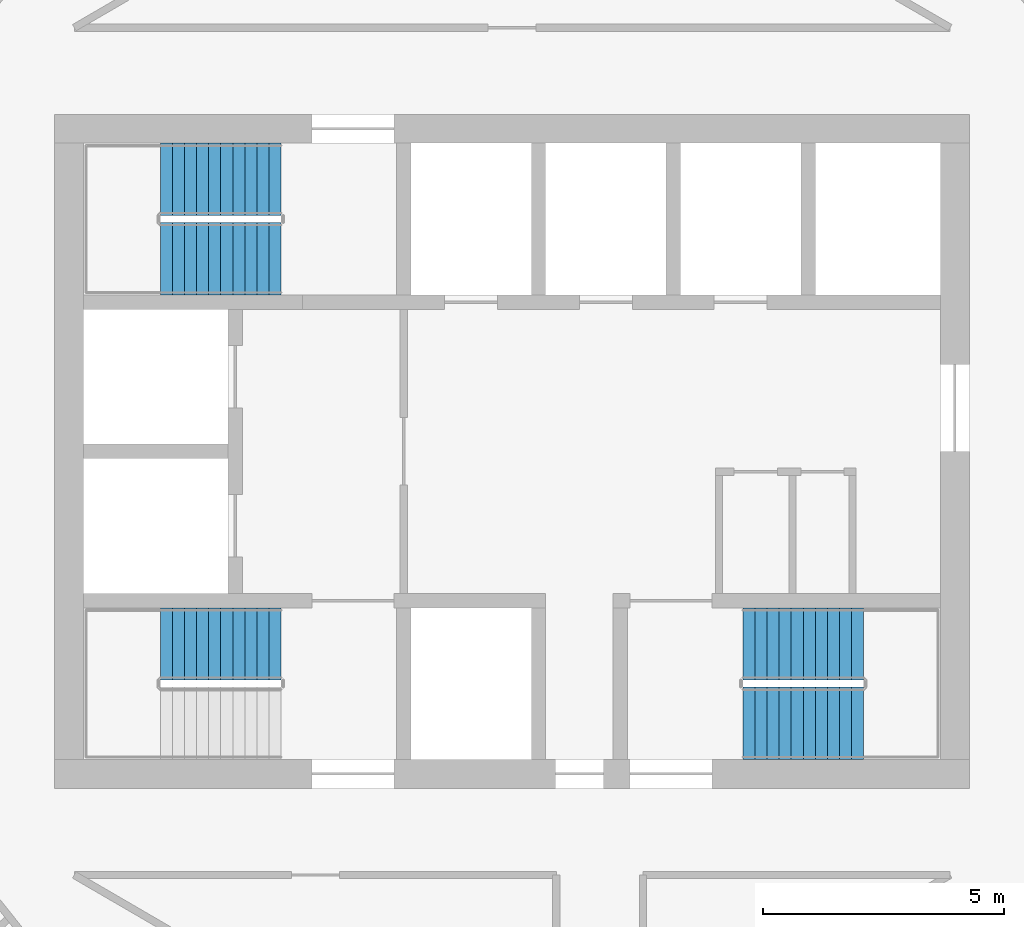
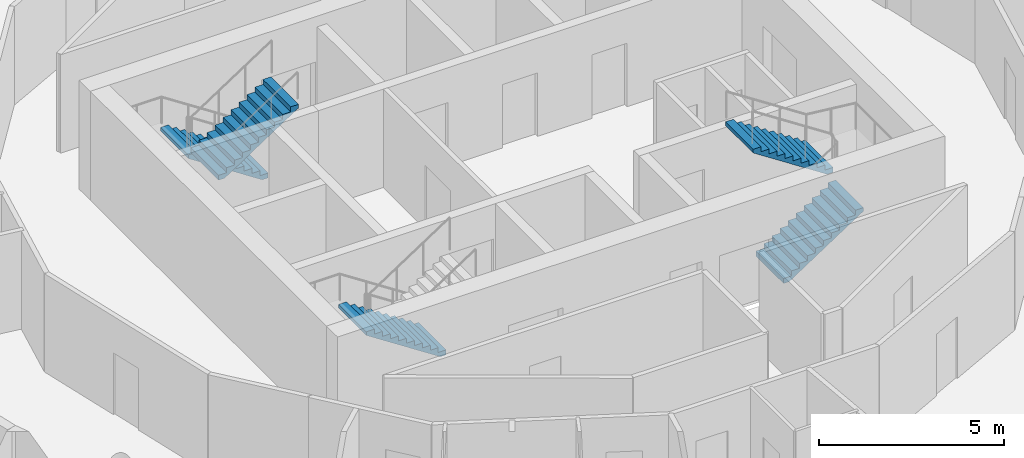
# One storey, part 12 of 13: 5 stair flights, 3 elements without a shape of their own.
"""IFC4 building model written with IfcOpenShell, lengths in metres."""

from ifc_helpers import new_model, si_unit, direction, frame, origin, place, context, subcontext, project, spatial, polyline, outline, extrude, material, type_object, element, aggregate, save


model = new_model("IFC4")

# Units and contexts
model_context = context("Model", 3, precision=1e-05, world=origin(), true_north=direction((0.0, 1.0)))
body_context = subcontext(model_context, "Body", "Model", "MODEL_VIEW")
ifc_project = project(units=[si_unit("LENGTHUNIT", "METRE"), si_unit("AREAUNIT", "SQUARE_METRE"), si_unit("VOLUMEUNIT", "CUBIC_METRE"), si_unit("PLANEANGLEUNIT", "RADIAN"), si_unit("MASSUNIT", "GRAM", prefix="KILO")], contexts=[model_context])

# Site, building, storey
site_placement = place(None, origin())
site = spatial("IfcSite", under=ifc_project, at=site_placement, CompositionType="ELEMENT")
building_placement = place(site_placement, origin())
building = spatial("IfcBuilding", under=site, at=building_placement, Name="Tracery Tower", CompositionType="ELEMENT")
storey_placement = place(building_placement, frame((0.0, 0.0, 294.60009765625)))
storey = spatial("IfcBuildingStorey", under=building, at=storey_placement, Name="L76", CompositionType="ELEMENT", Elevation=294.60009765625)

# Stair, stair flight
ifc_material_1 = material(Name="Concrete C32/40", Category="concrete")
stair_type = type_object("IfcStairType", Name="Core stair 22 risers", PredefinedType="HALF_TURN_STAIR", material=ifc_material_1)
stair_1_placement = place(storey_placement, origin())
stair_1 = element("IfcStair", 1, at=stair_1_placement, inside=storey, type_object=stair_type, Name="L76 stair ST1", PredefinedType="HALF_TURN_STAIR")
ifc_material_2 = material(Name="Concrete C32/40", Category="concrete")
stair_flight_type = type_object("IfcStairFlightType", Name="Core stair flight 11 risers", PredefinedType="STRAIGHT", material=ifc_material_2)
stair_flight_1_placement = place(storey_placement, frame((-4.800048828125, -4.0, 0.0), z_axis=(0.0, 0.0, 1.0), x_axis=(-1.0, 0.0, 0.0)))
stair_flight_1 = element("IfcStairFlight", 2, at=stair_flight_1_placement, type_object=stair_flight_type, Name="ST1 flight 1", NumberOfRisers=11, NumberOfTreads=10, PredefinedType="STRAIGHT", RiserHeight=0.163636364, TreadLength=0.25, context=body_context, shape_type="SweptSolid", body=[
    extrude(outline(polyline([(0.0, 0.0), (0.0, 0.002685546875), (0.0, 0.00537109375), (0.0, 0.008056640625), (0.0, 0.0107421875), (0.0, 0.013427734375), (0.0, 0.01611328125), (0.0, 0.018798828125), (0.0, 0.021484375), (0.0, 0.024169921875), (0.0, 0.02685546875), (0.0, 0.029541015625), (0.0, 0.0322265625), (0.0, 0.034912109375), (0.0, 0.03759765625), (0.0, 0.040283203125), (0.0, 0.04296875), (0.0, 0.045654296875), (0.0, 0.04833984375), (0.0, 0.051025390625), (0.0, 0.0537109375), (0.0, 0.056396484375), (0.0, 0.05908203125), (0.0, 0.061767578125), (0.0, 0.064453125), (0.0, 0.067138671875), (0.0, 0.06982421875), (0.0, 0.072509765625), (0.0, 0.0751953125), (0.0, 0.077880859375), (0.0, 0.08056640625), (0.0, 0.083251953125), (0.0, 0.0859375), (0.0, 0.088623046875), (0.0, 0.09130859375), (0.0, 0.093994140625), (0.0, 0.0966796875), (0.0, 0.099365234375), (0.0, 0.10205078125), (0.0, 0.104736328125), (0.0, 0.107421875), (0.0, 0.10986328125), (0.0, 0.112548828125), (0.0, 0.115234375), (0.0, 0.117919921875), (0.0, 0.12060546875), (0.0, 0.123291015625), (0.0, 0.1259765625), (0.0, 0.128662109375), (0.0, 0.13134765625), (0.0, 0.134033203125), (0.0, 0.13671875), (0.0, 0.139404296875), (0.0, 0.14208984375), (0.0, 0.144775390625), (0.0, 0.1474609375), (0.0, 0.150146484375), (0.0, 0.15283203125), (0.0, 0.155517578125), (0.0, 0.158203125), (0.0, 0.160888671875), (0.0, 0.16357421875), (0.25, 0.16357421875), (0.25, 0.327392578125), (0.5, 0.327392578125), (0.5, 0.490966796875), (0.75, 0.490966796875), (0.75, 0.654541015625), (1.0, 0.654541015625), (1.0, 0.818115234375), (1.25, 0.818115234375), (1.25, 0.98193359375), (1.5, 0.98193359375), (1.5, 1.1455078125), (1.75, 1.1455078125), (1.75, 1.30908203125), (2.0, 1.30908203125), (2.0, 1.47265625), (2.25, 1.47265625), (2.25, 1.636474609375), (2.5, 1.636474609375), (2.5, 1.634521484375), (2.5, 1.63232421875), (2.5, 1.63037109375), (2.5, 1.62841796875), (2.5, 1.62646484375), (2.5, 1.62451171875), (2.5, 1.62255859375), (2.5, 1.62060546875), (2.5, 1.61865234375), (2.5, 1.61669921875), (2.5, 1.61474609375), (2.5, 1.61279296875), (2.5, 1.61083984375), (2.5, 1.60888671875), (2.5, 1.60693359375), (2.5, 1.60498046875), (2.5, 1.60302734375), (2.5, 1.60107421875), (2.5, 1.59912109375), (2.5, 1.59716796875), (2.5, 1.59521484375), (2.5, 1.59326171875), (2.5, 1.59130859375), (2.5, 1.58935546875), (2.5, 1.58740234375), (2.5, 1.58544921875), (2.5, 1.58349609375), (2.5, 1.58154296875), (2.5, 1.57958984375), (2.5, 1.57763671875), (2.5, 1.57568359375), (2.5, 1.573486328125), (2.5, 1.571533203125), (2.5, 1.569580078125), (2.5, 1.567626953125), (2.5, 1.565673828125), (2.5, 1.563720703125), (2.5, 1.561767578125), (2.5, 1.559814453125), (2.5, 1.557861328125), (2.5, 1.555908203125), (2.5, 1.553955078125), (2.5, 1.552001953125), (2.5, 1.550048828125), (2.5, 1.548095703125), (2.5, 1.546142578125), (2.5, 1.544189453125), (2.5, 1.542236328125), (2.5, 1.540283203125), (2.5, 1.538330078125), (2.5, 1.536376953125), (2.5, 1.534423828125), (2.5, 1.532470703125), (2.5, 1.530517578125), (2.5, 1.528564453125), (2.5, 1.526611328125), (2.5, 1.524658203125), (2.5, 1.522705078125), (2.5, 1.520751953125), (2.5, 1.518798828125), (2.5, 1.516845703125), (0.182861328125, 0.0), (0.0, 0.0)])), frame((0.0, 0.75, 0.0), z_axis=(0.0, -1.0, 0.0), x_axis=(1.0, 0.0, 0.0)), (0.0, 0.0, 1.0), 1.5),
])
aggregate(stair_1, [stair_flight_1])

# Stair, stair flights
stair_2_placement = place(storey_placement, origin())
stair_2 = element("IfcStair", 3, at=stair_2_placement, inside=storey, type_object=stair_type, Name="L76 stair ST3", PredefinedType="HALF_TURN_STAIR")
stair_flight_2_placement = place(storey_placement, frame((-4.800048828125, 5.64990234375, 0.0), z_axis=(0.0, 0.0, 1.0), x_axis=(-1.0, 0.0, 0.0)))
stair_flight_2 = element("IfcStairFlight", 4, at=stair_flight_2_placement, type_object=stair_flight_type, Name="ST3 flight 1", NumberOfRisers=11, NumberOfTreads=10, PredefinedType="STRAIGHT", RiserHeight=0.163636364, TreadLength=0.25, context=body_context, shape_type="SweptSolid", body=[
    extrude(outline(polyline([(0.0, 0.0), (0.0, 0.002685546875), (0.0, 0.00537109375), (0.0, 0.008056640625), (0.0, 0.0107421875), (0.0, 0.013427734375), (0.0, 0.01611328125), (0.0, 0.018798828125), (0.0, 0.021484375), (0.0, 0.024169921875), (0.0, 0.02685546875), (0.0, 0.029541015625), (0.0, 0.0322265625), (0.0, 0.034912109375), (0.0, 0.03759765625), (0.0, 0.040283203125), (0.0, 0.04296875), (0.0, 0.045654296875), (0.0, 0.04833984375), (0.0, 0.051025390625), (0.0, 0.0537109375), (0.0, 0.056396484375), (0.0, 0.05908203125), (0.0, 0.061767578125), (0.0, 0.064453125), (0.0, 0.067138671875), (0.0, 0.06982421875), (0.0, 0.072509765625), (0.0, 0.0751953125), (0.0, 0.077880859375), (0.0, 0.08056640625), (0.0, 0.083251953125), (0.0, 0.0859375), (0.0, 0.088623046875), (0.0, 0.09130859375), (0.0, 0.093994140625), (0.0, 0.0966796875), (0.0, 0.099365234375), (0.0, 0.10205078125), (0.0, 0.104736328125), (0.0, 0.107421875), (0.0, 0.10986328125), (0.0, 0.112548828125), (0.0, 0.115234375), (0.0, 0.117919921875), (0.0, 0.12060546875), (0.0, 0.123291015625), (0.0, 0.1259765625), (0.0, 0.128662109375), (0.0, 0.13134765625), (0.0, 0.134033203125), (0.0, 0.13671875), (0.0, 0.139404296875), (0.0, 0.14208984375), (0.0, 0.144775390625), (0.0, 0.1474609375), (0.0, 0.150146484375), (0.0, 0.15283203125), (0.0, 0.155517578125), (0.0, 0.158203125), (0.0, 0.160888671875), (0.0, 0.16357421875), (0.25, 0.16357421875), (0.25, 0.327392578125), (0.5, 0.327392578125), (0.5, 0.490966796875), (0.75, 0.490966796875), (0.75, 0.654541015625), (1.0, 0.654541015625), (1.0, 0.818115234375), (1.25, 0.818115234375), (1.25, 0.98193359375), (1.5, 0.98193359375), (1.5, 1.1455078125), (1.75, 1.1455078125), (1.75, 1.30908203125), (2.0, 1.30908203125), (2.0, 1.47265625), (2.25, 1.47265625), (2.25, 1.636474609375), (2.5, 1.636474609375), (2.5, 1.634521484375), (2.5, 1.63232421875), (2.5, 1.63037109375), (2.5, 1.62841796875), (2.5, 1.62646484375), (2.5, 1.62451171875), (2.5, 1.62255859375), (2.5, 1.62060546875), (2.5, 1.61865234375), (2.5, 1.61669921875), (2.5, 1.61474609375), (2.5, 1.61279296875), (2.5, 1.61083984375), (2.5, 1.60888671875), (2.5, 1.60693359375), (2.5, 1.60498046875), (2.5, 1.60302734375), (2.5, 1.60107421875), (2.5, 1.59912109375), (2.5, 1.59716796875), (2.5, 1.59521484375), (2.5, 1.59326171875), (2.5, 1.59130859375), (2.5, 1.58935546875), (2.5, 1.58740234375), (2.5, 1.58544921875), (2.5, 1.58349609375), (2.5, 1.58154296875), (2.5, 1.57958984375), (2.5, 1.57763671875), (2.5, 1.57568359375), (2.5, 1.573486328125), (2.5, 1.571533203125), (2.5, 1.569580078125), (2.5, 1.567626953125), (2.5, 1.565673828125), (2.5, 1.563720703125), (2.5, 1.561767578125), (2.5, 1.559814453125), (2.5, 1.557861328125), (2.5, 1.555908203125), (2.5, 1.553955078125), (2.5, 1.552001953125), (2.5, 1.550048828125), (2.5, 1.548095703125), (2.5, 1.546142578125), (2.5, 1.544189453125), (2.5, 1.542236328125), (2.5, 1.540283203125), (2.5, 1.538330078125), (2.5, 1.536376953125), (2.5, 1.534423828125), (2.5, 1.532470703125), (2.5, 1.530517578125), (2.5, 1.528564453125), (2.5, 1.526611328125), (2.5, 1.524658203125), (2.5, 1.522705078125), (2.5, 1.520751953125), (2.5, 1.518798828125), (2.5, 1.516845703125), (0.182861328125, 0.0), (0.0, 0.0)])), frame((0.0, 0.75, 0.0), z_axis=(0.0, -1.0, 0.0), x_axis=(1.0, 0.0, 0.0)), (0.0, 0.0, 1.0), 1.5),
])
stair_flight_3_placement = place(storey_placement, frame((-7.300048828125, 4.0, 1.7998046875), z_axis=(0.0, 0.0, 1.0), x_axis=(1.0, 0.0, 0.0)))
stair_flight_3 = element("IfcStairFlight", 5, at=stair_flight_3_placement, type_object=stair_flight_type, Name="ST3 flight 2", NumberOfRisers=11, NumberOfTreads=10, PredefinedType="STRAIGHT", RiserHeight=0.163636364, TreadLength=0.25, context=body_context, shape_type="SweptSolid", body=[
    extrude(outline(polyline([(0.0, 0.0), (0.0, 0.002685546875), (0.0, 0.00537109375), (0.0, 0.008056640625), (0.0, 0.0107421875), (0.0, 0.013427734375), (0.0, 0.01611328125), (0.0, 0.018798828125), (0.0, 0.021484375), (0.0, 0.024169921875), (0.0, 0.02685546875), (0.0, 0.029541015625), (0.0, 0.0322265625), (0.0, 0.034912109375), (0.0, 0.03759765625), (0.0, 0.040283203125), (0.0, 0.04296875), (0.0, 0.045654296875), (0.0, 0.04833984375), (0.0, 0.051025390625), (0.0, 0.0537109375), (0.0, 0.056396484375), (0.0, 0.05908203125), (0.0, 0.061767578125), (0.0, 0.064453125), (0.0, 0.067138671875), (0.0, 0.06982421875), (0.0, 0.072509765625), (0.0, 0.0751953125), (0.0, 0.077880859375), (0.0, 0.08056640625), (0.0, 0.083251953125), (0.0, 0.0859375), (0.0, 0.088623046875), (0.0, 0.09130859375), (0.0, 0.093994140625), (0.0, 0.0966796875), (0.0, 0.099365234375), (0.0, 0.10205078125), (0.0, 0.104736328125), (0.0, 0.107421875), (0.0, 0.10986328125), (0.0, 0.112548828125), (0.0, 0.115234375), (0.0, 0.117919921875), (0.0, 0.12060546875), (0.0, 0.123291015625), (0.0, 0.1259765625), (0.0, 0.128662109375), (0.0, 0.13134765625), (0.0, 0.134033203125), (0.0, 0.13671875), (0.0, 0.139404296875), (0.0, 0.14208984375), (0.0, 0.144775390625), (0.0, 0.1474609375), (0.0, 0.150146484375), (0.0, 0.15283203125), (0.0, 0.155517578125), (0.0, 0.158203125), (0.0, 0.160888671875), (0.0, 0.16357421875), (0.25, 0.16357421875), (0.25, 0.327392578125), (0.5, 0.327392578125), (0.5, 0.490966796875), (0.75, 0.490966796875), (0.75, 0.654541015625), (1.0, 0.654541015625), (1.0, 0.818115234375), (1.25, 0.818115234375), (1.25, 0.98193359375), (1.5, 0.98193359375), (1.5, 1.1455078125), (1.75, 1.1455078125), (1.75, 1.30908203125), (2.0, 1.30908203125), (2.0, 1.47265625), (2.25, 1.47265625), (2.25, 1.636474609375), (2.5, 1.636474609375), (2.5, 1.634521484375), (2.5, 1.63232421875), (2.5, 1.63037109375), (2.5, 1.62841796875), (2.5, 1.62646484375), (2.5, 1.62451171875), (2.5, 1.62255859375), (2.5, 1.62060546875), (2.5, 1.61865234375), (2.5, 1.61669921875), (2.5, 1.61474609375), (2.5, 1.61279296875), (2.5, 1.61083984375), (2.5, 1.60888671875), (2.5, 1.60693359375), (2.5, 1.60498046875), (2.5, 1.60302734375), (2.5, 1.60107421875), (2.5, 1.59912109375), (2.5, 1.59716796875), (2.5, 1.59521484375), (2.5, 1.59326171875), (2.5, 1.59130859375), (2.5, 1.58935546875), (2.5, 1.58740234375), (2.5, 1.58544921875), (2.5, 1.58349609375), (2.5, 1.58154296875), (2.5, 1.57958984375), (2.5, 1.57763671875), (2.5, 1.57568359375), (2.5, 1.573486328125), (2.5, 1.571533203125), (2.5, 1.569580078125), (2.5, 1.567626953125), (2.5, 1.565673828125), (2.5, 1.563720703125), (2.5, 1.561767578125), (2.5, 1.559814453125), (2.5, 1.557861328125), (2.5, 1.555908203125), (2.5, 1.553955078125), (2.5, 1.552001953125), (2.5, 1.550048828125), (2.5, 1.548095703125), (2.5, 1.546142578125), (2.5, 1.544189453125), (2.5, 1.542236328125), (2.5, 1.540283203125), (2.5, 1.538330078125), (2.5, 1.536376953125), (2.5, 1.534423828125), (2.5, 1.532470703125), (2.5, 1.530517578125), (2.5, 1.528564453125), (2.5, 1.526611328125), (2.5, 1.524658203125), (2.5, 1.522705078125), (2.5, 1.520751953125), (2.5, 1.518798828125), (2.5, 1.516845703125), (0.182861328125, 0.0), (0.0, 0.0)])), frame((0.0, 0.75, 0.0), z_axis=(0.0, -1.0, 0.0), x_axis=(1.0, 0.0, 0.0)), (0.0, 0.0, 1.0), 1.5),
])
aggregate(stair_2, [stair_flight_2, stair_flight_3])

stair_3_placement = place(storey_placement, origin())
stair_3 = element("IfcStair", 6, at=stair_3_placement, inside=storey, type_object=stair_type, Name="L76 stair ST2", PredefinedType="HALF_TURN_STAIR")
stair_flight_4_placement = place(storey_placement, frame((4.800048828125, -5.64990234375, 0.0), z_axis=(0.0, 0.0, 1.0), x_axis=(1.0, 0.0, 0.0)))
stair_flight_4 = element("IfcStairFlight", 7, at=stair_flight_4_placement, type_object=stair_flight_type, Name="ST2 flight 1", NumberOfRisers=11, NumberOfTreads=10, PredefinedType="STRAIGHT", RiserHeight=0.163636364, TreadLength=0.25, context=body_context, shape_type="SweptSolid", body=[
    extrude(outline(polyline([(0.0, 0.0), (0.0, 0.002685546875), (0.0, 0.00537109375), (0.0, 0.008056640625), (0.0, 0.0107421875), (0.0, 0.013427734375), (0.0, 0.01611328125), (0.0, 0.018798828125), (0.0, 0.021484375), (0.0, 0.024169921875), (0.0, 0.02685546875), (0.0, 0.029541015625), (0.0, 0.0322265625), (0.0, 0.034912109375), (0.0, 0.03759765625), (0.0, 0.040283203125), (0.0, 0.04296875), (0.0, 0.045654296875), (0.0, 0.04833984375), (0.0, 0.051025390625), (0.0, 0.0537109375), (0.0, 0.056396484375), (0.0, 0.05908203125), (0.0, 0.061767578125), (0.0, 0.064453125), (0.0, 0.067138671875), (0.0, 0.06982421875), (0.0, 0.072509765625), (0.0, 0.0751953125), (0.0, 0.077880859375), (0.0, 0.08056640625), (0.0, 0.083251953125), (0.0, 0.0859375), (0.0, 0.088623046875), (0.0, 0.09130859375), (0.0, 0.093994140625), (0.0, 0.0966796875), (0.0, 0.099365234375), (0.0, 0.10205078125), (0.0, 0.104736328125), (0.0, 0.107421875), (0.0, 0.10986328125), (0.0, 0.112548828125), (0.0, 0.115234375), (0.0, 0.117919921875), (0.0, 0.12060546875), (0.0, 0.123291015625), (0.0, 0.1259765625), (0.0, 0.128662109375), (0.0, 0.13134765625), (0.0, 0.134033203125), (0.0, 0.13671875), (0.0, 0.139404296875), (0.0, 0.14208984375), (0.0, 0.144775390625), (0.0, 0.1474609375), (0.0, 0.150146484375), (0.0, 0.15283203125), (0.0, 0.155517578125), (0.0, 0.158203125), (0.0, 0.160888671875), (0.0, 0.16357421875), (0.25, 0.16357421875), (0.25, 0.327392578125), (0.5, 0.327392578125), (0.5, 0.490966796875), (0.75, 0.490966796875), (0.75, 0.654541015625), (1.0, 0.654541015625), (1.0, 0.818115234375), (1.25, 0.818115234375), (1.25, 0.98193359375), (1.5, 0.98193359375), (1.5, 1.1455078125), (1.75, 1.1455078125), (1.75, 1.30908203125), (2.0, 1.30908203125), (2.0, 1.47265625), (2.25, 1.47265625), (2.25, 1.636474609375), (2.5, 1.636474609375), (2.5, 1.634521484375), (2.5, 1.63232421875), (2.5, 1.63037109375), (2.5, 1.62841796875), (2.5, 1.62646484375), (2.5, 1.62451171875), (2.5, 1.62255859375), (2.5, 1.62060546875), (2.5, 1.61865234375), (2.5, 1.61669921875), (2.5, 1.61474609375), (2.5, 1.61279296875), (2.5, 1.61083984375), (2.5, 1.60888671875), (2.5, 1.60693359375), (2.5, 1.60498046875), (2.5, 1.60302734375), (2.5, 1.60107421875), (2.5, 1.59912109375), (2.5, 1.59716796875), (2.5, 1.59521484375), (2.5, 1.59326171875), (2.5, 1.59130859375), (2.5, 1.58935546875), (2.5, 1.58740234375), (2.5, 1.58544921875), (2.5, 1.58349609375), (2.5, 1.58154296875), (2.5, 1.57958984375), (2.5, 1.57763671875), (2.5, 1.57568359375), (2.5, 1.573486328125), (2.5, 1.571533203125), (2.5, 1.569580078125), (2.5, 1.567626953125), (2.5, 1.565673828125), (2.5, 1.563720703125), (2.5, 1.561767578125), (2.5, 1.559814453125), (2.5, 1.557861328125), (2.5, 1.555908203125), (2.5, 1.553955078125), (2.5, 1.552001953125), (2.5, 1.550048828125), (2.5, 1.548095703125), (2.5, 1.546142578125), (2.5, 1.544189453125), (2.5, 1.542236328125), (2.5, 1.540283203125), (2.5, 1.538330078125), (2.5, 1.536376953125), (2.5, 1.534423828125), (2.5, 1.532470703125), (2.5, 1.530517578125), (2.5, 1.528564453125), (2.5, 1.526611328125), (2.5, 1.524658203125), (2.5, 1.522705078125), (2.5, 1.520751953125), (2.5, 1.518798828125), (2.5, 1.516845703125), (0.182861328125, 0.0), (0.0, 0.0)])), frame((0.0, 0.75, 0.0), z_axis=(0.0, -1.0, 0.0), x_axis=(1.0, 0.0, 0.0)), (0.0, 0.0, 1.0), 1.5),
])
stair_flight_5_placement = place(storey_placement, frame((7.300048828125, -4.0, 1.7998046875), z_axis=(0.0, 0.0, 1.0), x_axis=(-1.0, 0.0, 0.0)))
stair_flight_5 = element("IfcStairFlight", 8, at=stair_flight_5_placement, type_object=stair_flight_type, Name="ST2 flight 2", NumberOfRisers=11, NumberOfTreads=10, PredefinedType="STRAIGHT", RiserHeight=0.163636364, TreadLength=0.25, context=body_context, shape_type="SweptSolid", body=[
    extrude(outline(polyline([(0.0, 0.0), (0.0, 0.002685546875), (0.0, 0.00537109375), (0.0, 0.008056640625), (0.0, 0.0107421875), (0.0, 0.013427734375), (0.0, 0.01611328125), (0.0, 0.018798828125), (0.0, 0.021484375), (0.0, 0.024169921875), (0.0, 0.02685546875), (0.0, 0.029541015625), (0.0, 0.0322265625), (0.0, 0.034912109375), (0.0, 0.03759765625), (0.0, 0.040283203125), (0.0, 0.04296875), (0.0, 0.045654296875), (0.0, 0.04833984375), (0.0, 0.051025390625), (0.0, 0.0537109375), (0.0, 0.056396484375), (0.0, 0.05908203125), (0.0, 0.061767578125), (0.0, 0.064453125), (0.0, 0.067138671875), (0.0, 0.06982421875), (0.0, 0.072509765625), (0.0, 0.0751953125), (0.0, 0.077880859375), (0.0, 0.08056640625), (0.0, 0.083251953125), (0.0, 0.0859375), (0.0, 0.088623046875), (0.0, 0.09130859375), (0.0, 0.093994140625), (0.0, 0.0966796875), (0.0, 0.099365234375), (0.0, 0.10205078125), (0.0, 0.104736328125), (0.0, 0.107421875), (0.0, 0.10986328125), (0.0, 0.112548828125), (0.0, 0.115234375), (0.0, 0.117919921875), (0.0, 0.12060546875), (0.0, 0.123291015625), (0.0, 0.1259765625), (0.0, 0.128662109375), (0.0, 0.13134765625), (0.0, 0.134033203125), (0.0, 0.13671875), (0.0, 0.139404296875), (0.0, 0.14208984375), (0.0, 0.144775390625), (0.0, 0.1474609375), (0.0, 0.150146484375), (0.0, 0.15283203125), (0.0, 0.155517578125), (0.0, 0.158203125), (0.0, 0.160888671875), (0.0, 0.16357421875), (0.25, 0.16357421875), (0.25, 0.327392578125), (0.5, 0.327392578125), (0.5, 0.490966796875), (0.75, 0.490966796875), (0.75, 0.654541015625), (1.0, 0.654541015625), (1.0, 0.818115234375), (1.25, 0.818115234375), (1.25, 0.98193359375), (1.5, 0.98193359375), (1.5, 1.1455078125), (1.75, 1.1455078125), (1.75, 1.30908203125), (2.0, 1.30908203125), (2.0, 1.47265625), (2.25, 1.47265625), (2.25, 1.636474609375), (2.5, 1.636474609375), (2.5, 1.634521484375), (2.5, 1.63232421875), (2.5, 1.63037109375), (2.5, 1.62841796875), (2.5, 1.62646484375), (2.5, 1.62451171875), (2.5, 1.62255859375), (2.5, 1.62060546875), (2.5, 1.61865234375), (2.5, 1.61669921875), (2.5, 1.61474609375), (2.5, 1.61279296875), (2.5, 1.61083984375), (2.5, 1.60888671875), (2.5, 1.60693359375), (2.5, 1.60498046875), (2.5, 1.60302734375), (2.5, 1.60107421875), (2.5, 1.59912109375), (2.5, 1.59716796875), (2.5, 1.59521484375), (2.5, 1.59326171875), (2.5, 1.59130859375), (2.5, 1.58935546875), (2.5, 1.58740234375), (2.5, 1.58544921875), (2.5, 1.58349609375), (2.5, 1.58154296875), (2.5, 1.57958984375), (2.5, 1.57763671875), (2.5, 1.57568359375), (2.5, 1.573486328125), (2.5, 1.571533203125), (2.5, 1.569580078125), (2.5, 1.567626953125), (2.5, 1.565673828125), (2.5, 1.563720703125), (2.5, 1.561767578125), (2.5, 1.559814453125), (2.5, 1.557861328125), (2.5, 1.555908203125), (2.5, 1.553955078125), (2.5, 1.552001953125), (2.5, 1.550048828125), (2.5, 1.548095703125), (2.5, 1.546142578125), (2.5, 1.544189453125), (2.5, 1.542236328125), (2.5, 1.540283203125), (2.5, 1.538330078125), (2.5, 1.536376953125), (2.5, 1.534423828125), (2.5, 1.532470703125), (2.5, 1.530517578125), (2.5, 1.528564453125), (2.5, 1.526611328125), (2.5, 1.524658203125), (2.5, 1.522705078125), (2.5, 1.520751953125), (2.5, 1.518798828125), (2.5, 1.516845703125), (0.182861328125, 0.0), (0.0, 0.0)])), frame((0.0, 0.75, 0.0), z_axis=(0.0, -1.0, 0.0), x_axis=(1.0, 0.0, 0.0)), (0.0, 0.0, 1.0), 1.5),
])
aggregate(stair_3, [stair_flight_4, stair_flight_5])

save(model, "model.ifc")
